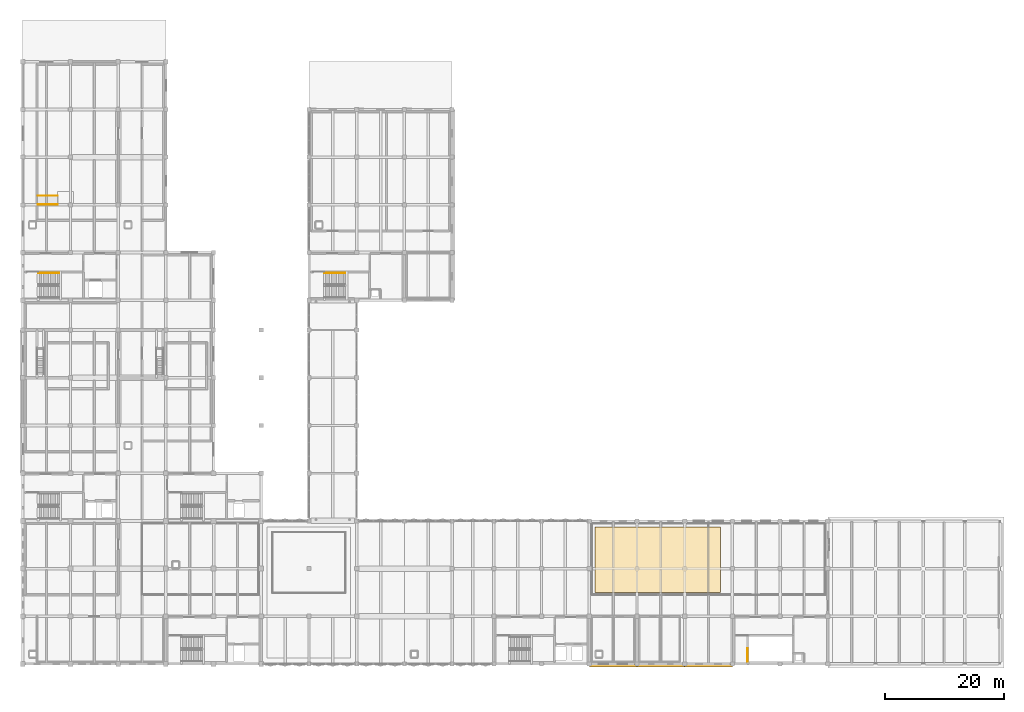
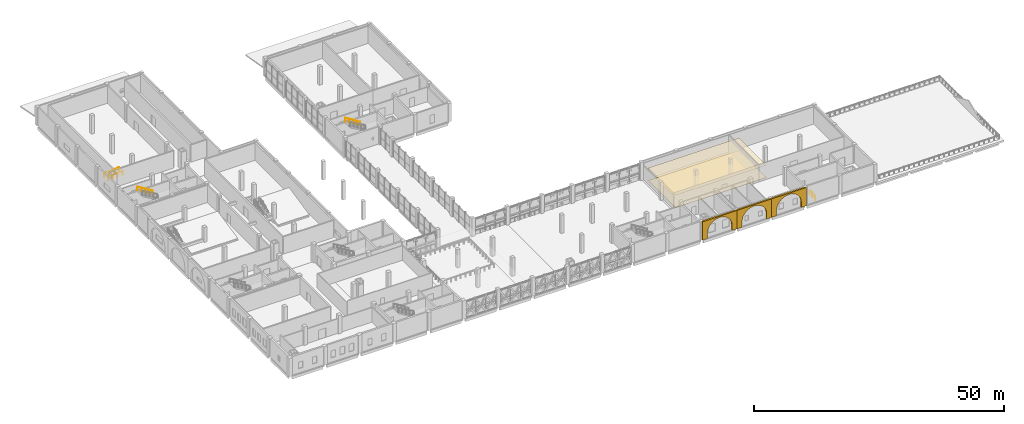
# One storey, part 42 of 45: 5 coverings, 5 railings.
"""IFC4 building model written with IfcOpenShell, lengths in metres."""

from ifc_helpers import new_model, si_unit, direction, frame, origin, origin_2d, place, context, subcontext, project, spatial, polyline, circle, outline, extrude, material, layer, layer_set, type_object, element, save


model = new_model("IFC4")

# Units and contexts
model_context = context("Model", 3, precision=1e-05, world=origin(), true_north=direction((0.0, 1.0)))
body_context = subcontext(model_context, "Body", "Model", "MODEL_VIEW")
ifc_project = project(units=[si_unit("LENGTHUNIT", "METRE"), si_unit("AREAUNIT", "SQUARE_METRE"), si_unit("VOLUMEUNIT", "CUBIC_METRE"), si_unit("PLANEANGLEUNIT", "RADIAN"), si_unit("MASSUNIT", "GRAM", prefix="KILO")], contexts=[model_context])

# Site, building, storey
site_placement = place(None, origin())
site = spatial("IfcSite", under=ifc_project, at=site_placement, CompositionType="ELEMENT")
building_placement = place(site_placement, origin())
building = spatial("IfcBuilding", under=site, at=building_placement, Name="Qorikala Patio Media Centre", CompositionType="ELEMENT")
storey_placement = place(building_placement, frame((0.0, 0.0, 9.89990234375)))
storey = spatial("IfcBuildingStorey", under=building, at=storey_placement, Name="L02", CompositionType="ELEMENT", Elevation=9.89990234375)

# Coverings
ifc_material_1 = material(Name="Perforated Andean Timber Acoustic Ceiling", Category="wood")
ifc_layer_1 = layer(ifc_material_1, 0.0400390625)
ifc_layer_set_1 = layer_set([ifc_layer_1], Name="Perforated Andean Timber Acoustic Ceiling")
covering_type_1 = type_object("IfcCoveringType", Name="COV-CEIL-AC", PredefinedType="CEILING", material=ifc_layer_set_1)
covering_1_placement = place(storey_placement, frame((0.0, 0.0, 3.050048828125)))
element("IfcCovering", 1, at=covering_1_placement, inside=storey, type_object=covering_type_1, Name="L02 Acoustic Timber Ceiling 06", PredefinedType="CEILING", context=body_context, shape_type="SweptSolid", body=[
    extrude(outline(polyline([(99.0, 15.0), (120.0, 15.0), (120.0, 26.0), (99.0, 26.0), (99.0, 15.0)])), origin(), (0.0, 0.0, 1.0), 0.0400390625),
])
ifc_material_2 = material(Name="Comanche Granite Ashlar Stone", Category="masonry")
ifc_layer_2 = layer(ifc_material_2, 0.06005859375)
ifc_layer_set_2 = layer_set([ifc_layer_2], Name="Comanche Granite Ashlar Stone")
covering_type_2 = type_object("IfcCoveringType", Name="COV-CLAD-STONE", PredefinedType="CLADDING", material=ifc_layer_set_2)
for number, where, z_axis, x_axis, name in (
    (2, (98.0, 2.719970703125, 0.0), (0.0, 0.0, 1.0), (1.0, 0.0, 0.0), "Spanish Colonial Stone Arched Arcade UARC-V7S-7"),
    (3, (106.0, 2.719970703125, 0.0), (0.0, 0.0, 1.0), (1.0, 0.0, 0.0), "Spanish Colonial Stone Arched Arcade UARC-V7S-8"),
    (4, (114.0, 2.719970703125, 0.0), (0.0, 0.0, 1.0), (1.0, 0.0, 0.0), "Spanish Colonial Stone Arched Arcade UARC-V7S-9"),
):
    element("IfcCovering", number, at=place(storey_placement, frame(where, z_axis=z_axis, x_axis=x_axis)), inside=storey, type_object=covering_type_2, Name=name, PredefinedType="CLADDING", context=body_context, shape_type="SweptSolid", body=[
        extrude(outline(polyline([(0.0, 0.0), (1.14990234375, 0.0), (1.14990234375, 1.330078125), (1.221435546875, 1.964111328125), (1.43212890625, 2.566650390625), (1.771728515625, 3.10693359375), (2.22314453125, 3.55810546875), (2.763427734375, 3.897705078125), (3.36572265625, 4.1083984375), (4.0, 4.179931640625), (4.63427734375, 4.1083984375), (5.236572265625, 3.897705078125), (5.77685546875, 3.55810546875), (6.228271484375, 3.10693359375), (6.56787109375, 2.566650390625), (6.778564453125, 1.964111328125), (6.85009765625, 1.330078125), (6.85009765625, 0.0), (8.0, 0.0), (8.0, 4.5), (0.0, 4.5), (0.0, 0.0)])), frame((0.0, 0.18017578125, 0.0), z_axis=(0.0, -1.0, 0.0), x_axis=(1.0, 0.0, 0.0)), (0.0, 0.0, 1.0), 0.360107421875),
    ])
ifc_material_3 = material(Name="Honed Comanche Granite Flooring", Category="masonry")
ifc_layer_3 = layer(ifc_material_3, 0.034912109375)
ifc_layer_set_3 = layer_set([ifc_layer_3], Name="Honed Comanche Granite Flooring")
covering_type_3 = type_object("IfcCoveringType", Name="COV-FLOR-STONE", PredefinedType="FLOORING", material=ifc_layer_set_3)
covering_2_placement = place(storey_placement, origin())
element("IfcCovering", 5, at=covering_2_placement, inside=storey, type_object=covering_type_3, Name="L02 Honed Comanche Granite Flooring 06", PredefinedType="FLOORING", context=body_context, shape_type="SweptSolid", body=[
    extrude(outline(polyline([(99.0, 15.0), (120.0, 15.0), (120.0, 26.0), (99.0, 26.0), (99.0, 15.0)])), origin(), (0.0, 0.0, 1.0), 0.03515625),
])

# Railings
ifc_material_4 = material(Name="Wrought Bronze and Steel S355", Category="steel")
railing_type_1 = type_object("IfcRailingType", Name="RL-GUARD-110", PredefinedType="GUARDRAIL", material=ifc_material_4)
railing_placement = place(storey_placement, frame((124.550048828125, 3.39990234375, 0.0)))
element("IfcRailing", 6, at=railing_placement, inside=storey, type_object=railing_type_1, Name="L02 ST-7 top well guard 1", PredefinedType="GUARDRAIL", context=body_context, shape_type="SweptSolid", body=[
    extrude(circle(Radius=0.02392578125, at=origin_2d()), frame((0.0, 0.0, 1.076171875), z_axis=(0.0, 1.0, 0.0), x_axis=(-1.0, 0.0, 0.0)), (0.0, 0.0, 1.0), 2.2001953125),
    extrude(circle(Radius=0.02099609375, at=origin_2d()), origin(), (0.0, 0.0, 1.0), 1.052001953125),
    extrude(circle(Radius=0.02099609375, at=origin_2d()), frame((0.0, 1.10009765625, 0.0)), (0.0, 0.0, 1.0), 1.052001953125),
    extrude(circle(Radius=0.02099609375, at=origin_2d()), frame((0.0, 2.2001953125, 0.0)), (0.0, 0.0, 1.0), 1.052001953125),
])
ifc_material_5 = material(Name="Brushed Bronze Tubular Steel S355", Category="steel")
railing_type_2 = type_object("IfcRailingType", Name="RL-HAND-090", PredefinedType="HANDRAIL", material=ifc_material_5)
for number, where, name in (
    (7, (9.080078125, 68.550048828125, 2.423095703125), "L02 ST-3 stair handrail 2"),
    (8, (57.080078125, 68.550048828125, 2.423095703125), "L02 ST-6 stair handrail 2"),
):
    element("IfcRailing", number, at=place(storey_placement, frame(where)), inside=storey, type_object=railing_type_2, Name=name, PredefinedType="HANDRAIL", context=body_context, shape_type="SweptSolid", body=[
        extrude(circle(Radius=0.02392578125, at=origin_2d()), frame((0.0, 0.0, 0.8759765625), z_axis=(-0.858697190188, 0.0, 0.512483302717), x_axis=(0.0, -1.0, 0.0)), (0.0, 0.0, 1.0), 4.052734375),
        extrude(circle(Radius=0.02099609375, at=origin_2d()), origin(), (0.0, 0.0, 1.0), 0.851806640625),
        extrude(circle(Radius=0.02099609375, at=origin_2d()), frame((-0.8701171875, 0.0, 0.519287109375)), (0.0, 0.0, 1.0), 0.851806640625),
        extrude(circle(Radius=0.02099609375, at=origin_2d()), frame((-1.739990234375, 0.0, 1.03857421875)), (0.0, 0.0, 1.0), 0.851806640625),
        extrude(circle(Radius=0.02099609375, at=origin_2d()), frame((-2.60986328125, 0.0, 1.5576171875)), (0.0, 0.0, 1.0), 0.851806640625),
        extrude(circle(Radius=0.02099609375, at=origin_2d()), frame((-3.47998046875, 0.0, 2.076904296875)), (0.0, 0.0, 1.0), 0.851806640625),
    ])
for number, where, name in (
    (9, (5.5, 80.06005859375, 0.0), "RP-03 Accessible Ramp Handrail L"),
    (10, (5.5, 81.5400390625, 0.0), "RP-03 Accessible Ramp Handrail R"),
):
    element("IfcRailing", number, at=place(storey_placement, frame(where)), inside=storey, type_object=railing_type_2, Name=name, PredefinedType="HANDRAIL", context=body_context, shape_type="SweptSolid", body=[
        extrude(circle(Radius=0.02392578125, at=origin_2d()), frame((0.0, 0.0, 0.8759765625), z_axis=(0.997459067706, 0.0, 0.071241899553), x_axis=(0.0, 1.0, 0.0)), (0.0, 0.0, 1.0), 3.36865234375),
        extrude(circle(Radius=0.02099609375, at=origin_2d()), origin(), (0.0, 0.0, 1.0), 0.851806640625),
        extrude(circle(Radius=0.02099609375, at=origin_2d()), frame((1.1201171875, 0.0, 0.080078125)), (0.0, 0.0, 1.0), 0.851806640625),
        extrude(circle(Radius=0.02099609375, at=origin_2d()), frame((2.239990234375, 0.0, 0.159912109375)), (0.0, 0.0, 1.0), 0.851806640625),
        extrude(circle(Radius=0.02099609375, at=origin_2d()), frame((3.360107421875, 0.0, 0.239990234375)), (0.0, 0.0, 1.0), 0.851806640625),
    ])

save(model, "model.ifc")
